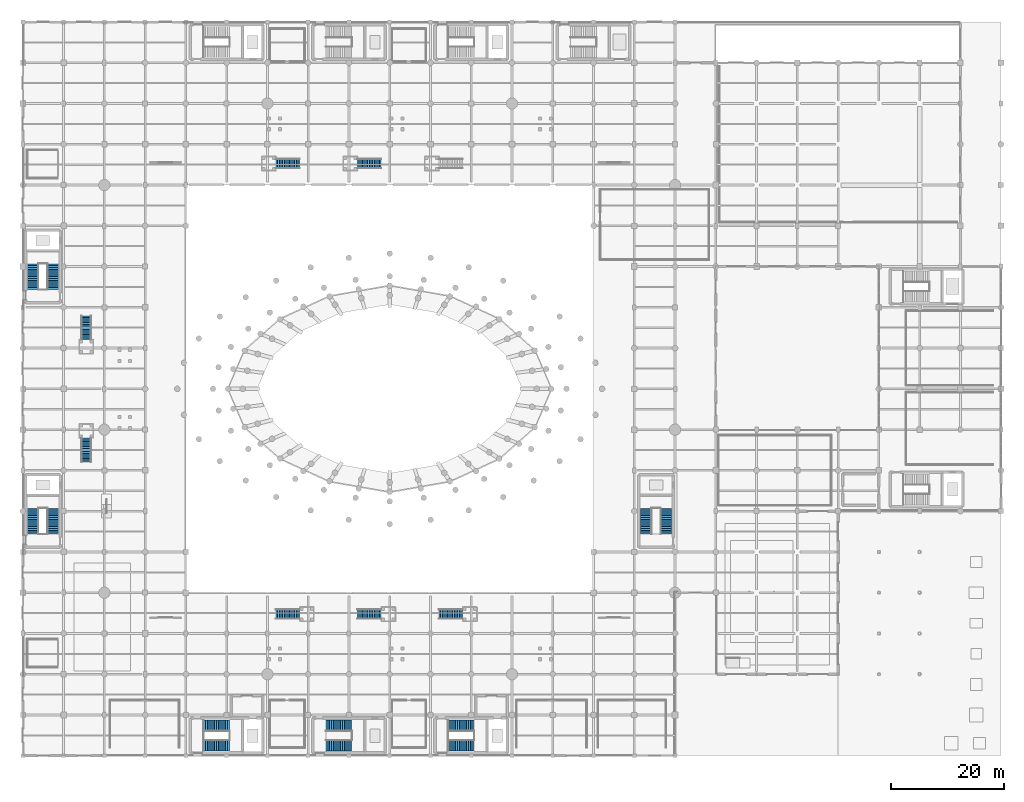
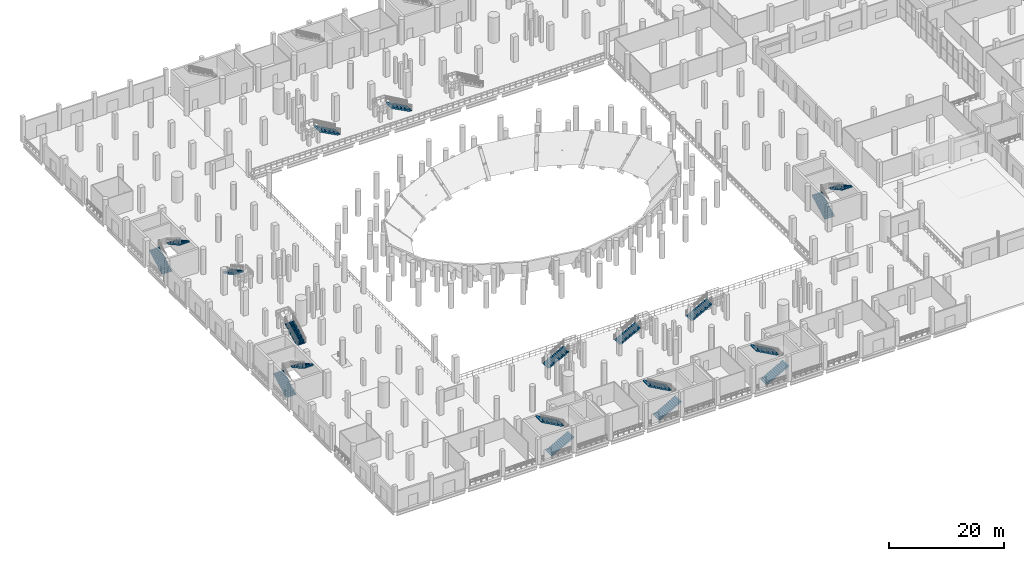
# One storey, part 42 of 58: 19 stair flights, 13 elements without a shape of their own.
"""IFC4 building model written with IfcOpenShell, lengths in metres."""

from ifc_helpers import new_model, si_unit, direction, frame, origin, place, context, subcontext, project, spatial, polyline, outline, extrude, material, type_object, element, aggregate, save


model = new_model("IFC4")

# Units and contexts
model_context = context("Model", 3, precision=1e-05, world=origin(), true_north=direction((0.0, 1.0)))
body_context = subcontext(model_context, "Body", "Model", "MODEL_VIEW")
ifc_project = project(units=[si_unit("LENGTHUNIT", "METRE"), si_unit("AREAUNIT", "SQUARE_METRE"), si_unit("VOLUMEUNIT", "CUBIC_METRE"), si_unit("PLANEANGLEUNIT", "RADIAN"), si_unit("MASSUNIT", "GRAM", prefix="KILO")], contexts=[model_context])

# Site, building, storey
site_placement = place(None, origin())
site = spatial("IfcSite", under=ifc_project, at=site_placement, CompositionType="ELEMENT")
building_placement = place(site_placement, origin())
building = spatial("IfcBuilding", under=site, at=building_placement, Name="Qandorah Velis Arena", CompositionType="ELEMENT")
storey_placement = place(building_placement, origin())
storey = spatial("IfcBuildingStorey", under=building, at=storey_placement, Name="L00", CompositionType="ELEMENT", Elevation=0.0)

# Stair, stair flights
ifc_material = material(Name="Concrete C40/50", Category="concrete")
stair_type_1 = type_object("IfcStairType", Name="ARC-ST-CORE54", PredefinedType="HALF_TURN_STAIR", material=ifc_material)
stair_1_placement = place(storey_placement, origin())
stair_1 = element("IfcStair", 1, at=stair_1_placement, inside=storey, type_object=stair_type_1, Name="Protected exit stair ST1 (L00)", PredefinedType="HALF_TURN_STAIR")
stair_flight_type_1 = type_object("IfcStairFlightType", Name="ARC-STF-1650", PredefinedType="STRAIGHT", material=ifc_material)
stair_flight_1_placement = place(storey_placement, frame((31.949951171875, 1.800048828125, 0.0), z_axis=(0.0, 0.0, 1.0), x_axis=(1.0, 0.0, 0.0)))
stair_flight_1 = element("IfcStairFlight", 2, at=stair_flight_1_placement, type_object=stair_flight_type_1, Name="ST1 flight 1", NumberOfRisers=15, NumberOfTreads=14, PredefinedType="STRAIGHT", RiserHeight=0.18, TreadLength=0.324, context=body_context, shape_type="SweptSolid", body=[
    extrude(outline(polyline([(0.0, 0.0), (0.0, 0.179931640625), (0.323974609375, 0.179931640625), (0.323974609375, 0.360107421875), (0.64794921875, 0.360107421875), (0.64794921875, 0.5400390625), (0.971923828125, 0.5400390625), (0.971923828125, 0.719970703125), (1.2958984375, 0.719970703125), (1.2958984375, 0.89990234375), (1.6201171875, 0.89990234375), (1.6201171875, 1.080078125), (1.944091796875, 1.080078125), (1.944091796875, 1.260009765625), (2.26806640625, 1.260009765625), (2.26806640625, 1.43994140625), (2.592041015625, 1.43994140625), (2.592041015625, 1.6201171875), (2.916015625, 1.6201171875), (2.916015625, 1.800048828125), (3.239990234375, 1.800048828125), (3.239990234375, 1.97998046875), (3.56396484375, 1.97998046875), (3.56396484375, 2.159912109375), (3.887939453125, 2.159912109375), (3.887939453125, 2.340087890625), (4.2119140625, 2.340087890625), (4.2119140625, 2.52001953125), (4.535888671875, 2.52001953125), (4.535888671875, 2.699951171875), (4.535888671875, 2.268310546875), (0.452880859375, 0.0), (0.0, 0.0)])), frame((0.0, 0.989990234375, 0.0), z_axis=(0.0, -1.0, 0.0), x_axis=(1.0, 0.0, 0.0)), (0.0, 0.0, 1.0), 1.97998046875),
])
stair_flight_2_placement = place(storey_placement, frame((36.486083984375, 5.300048828125, 2.699951171875), z_axis=(0.0, 0.0, 1.0), x_axis=(-1.0, 0.0, 0.0)))
stair_flight_2 = element("IfcStairFlight", 3, at=stair_flight_2_placement, type_object=stair_flight_type_1, Name="ST1 flight 2", NumberOfRisers=15, NumberOfTreads=14, PredefinedType="STRAIGHT", RiserHeight=0.18, TreadLength=0.324, context=body_context, shape_type="SweptSolid", body=[
    extrude(outline(polyline([(0.0, 0.0), (0.0, 0.179931640625), (0.323974609375, 0.179931640625), (0.323974609375, 0.360107421875), (0.64794921875, 0.360107421875), (0.64794921875, 0.5400390625), (0.971923828125, 0.5400390625), (0.971923828125, 0.719970703125), (1.2958984375, 0.719970703125), (1.2958984375, 0.89990234375), (1.6201171875, 0.89990234375), (1.6201171875, 1.080078125), (1.944091796875, 1.080078125), (1.944091796875, 1.260009765625), (2.26806640625, 1.260009765625), (2.26806640625, 1.43994140625), (2.592041015625, 1.43994140625), (2.592041015625, 1.6201171875), (2.916015625, 1.6201171875), (2.916015625, 1.800048828125), (3.239990234375, 1.800048828125), (3.239990234375, 1.97998046875), (3.56396484375, 1.97998046875), (3.56396484375, 2.159912109375), (3.887939453125, 2.159912109375), (3.887939453125, 2.340087890625), (4.2119140625, 2.340087890625), (4.2119140625, 2.52001953125), (4.535888671875, 2.52001953125), (4.535888671875, 2.699951171875), (4.535888671875, 2.268310546875), (0.452880859375, 0.0), (0.0, 0.0)])), frame((0.0, 0.989990234375, 0.0), z_axis=(0.0, -1.0, 0.0), x_axis=(1.0, 0.0, 0.0)), (0.0, 0.0, 1.0), 1.97998046875),
])
aggregate(stair_1, [stair_flight_1, stair_flight_2])

stair_2_placement = place(storey_placement, origin())
stair_2 = element("IfcStair", 4, at=stair_2_placement, inside=storey, type_object=stair_type_1, Name="Protected exit stair ST2 (L00)", PredefinedType="HALF_TURN_STAIR")
stair_flight_3_placement = place(storey_placement, frame((75.14990234375, 1.800048828125, 0.0), z_axis=(0.0, 0.0, 1.0), x_axis=(1.0, 0.0, 0.0)))
stair_flight_3 = element("IfcStairFlight", 5, at=stair_flight_3_placement, type_object=stair_flight_type_1, Name="ST2 flight 1", NumberOfRisers=15, NumberOfTreads=14, PredefinedType="STRAIGHT", RiserHeight=0.18, TreadLength=0.324, context=body_context, shape_type="SweptSolid", body=[
    extrude(outline(polyline([(0.0, 0.0), (0.0, 0.179931640625), (0.323974609375, 0.179931640625), (0.323974609375, 0.360107421875), (0.64794921875, 0.360107421875), (0.64794921875, 0.5400390625), (0.971923828125, 0.5400390625), (0.971923828125, 0.719970703125), (1.2958984375, 0.719970703125), (1.2958984375, 0.89990234375), (1.6201171875, 0.89990234375), (1.6201171875, 1.080078125), (1.944091796875, 1.080078125), (1.944091796875, 1.260009765625), (2.26806640625, 1.260009765625), (2.26806640625, 1.43994140625), (2.592041015625, 1.43994140625), (2.592041015625, 1.6201171875), (2.916015625, 1.6201171875), (2.916015625, 1.800048828125), (3.239990234375, 1.800048828125), (3.239990234375, 1.97998046875), (3.56396484375, 1.97998046875), (3.56396484375, 2.159912109375), (3.887939453125, 2.159912109375), (3.887939453125, 2.340087890625), (4.2119140625, 2.340087890625), (4.2119140625, 2.52001953125), (4.535888671875, 2.52001953125), (4.535888671875, 2.699951171875), (4.535888671875, 2.268310546875), (0.452880859375, 0.0), (0.0, 0.0)])), frame((0.0, 0.989990234375, 0.0), z_axis=(0.0, -1.0, 0.0), x_axis=(1.0, 0.0, 0.0)), (0.0, 0.0, 1.0), 1.97998046875),
])
stair_flight_4_placement = place(storey_placement, frame((79.68603515625, 5.300048828125, 2.699951171875), z_axis=(0.0, 0.0, 1.0), x_axis=(-1.0, 0.0, 0.0)))
stair_flight_4 = element("IfcStairFlight", 6, at=stair_flight_4_placement, type_object=stair_flight_type_1, Name="ST2 flight 2", NumberOfRisers=15, NumberOfTreads=14, PredefinedType="STRAIGHT", RiserHeight=0.18, TreadLength=0.324, context=body_context, shape_type="SweptSolid", body=[
    extrude(outline(polyline([(0.0, 0.0), (0.0, 0.179931640625), (0.323974609375, 0.179931640625), (0.323974609375, 0.360107421875), (0.64794921875, 0.360107421875), (0.64794921875, 0.5400390625), (0.971923828125, 0.5400390625), (0.971923828125, 0.719970703125), (1.2958984375, 0.719970703125), (1.2958984375, 0.89990234375), (1.6201171875, 0.89990234375), (1.6201171875, 1.080078125), (1.944091796875, 1.080078125), (1.944091796875, 1.260009765625), (2.26806640625, 1.260009765625), (2.26806640625, 1.43994140625), (2.592041015625, 1.43994140625), (2.592041015625, 1.6201171875), (2.916015625, 1.6201171875), (2.916015625, 1.800048828125), (3.239990234375, 1.800048828125), (3.239990234375, 1.97998046875), (3.56396484375, 1.97998046875), (3.56396484375, 2.159912109375), (3.887939453125, 2.159912109375), (3.887939453125, 2.340087890625), (4.2119140625, 2.340087890625), (4.2119140625, 2.52001953125), (4.535888671875, 2.52001953125), (4.535888671875, 2.699951171875), (4.535888671875, 2.268310546875), (0.452880859375, 0.0), (0.0, 0.0)])), frame((0.0, 0.989990234375, 0.0), z_axis=(0.0, -1.0, 0.0), x_axis=(1.0, 0.0, 0.0)), (0.0, 0.0, 1.0), 1.97998046875),
])
aggregate(stair_2, [stair_flight_3, stair_flight_4])

stair_3_placement = place(storey_placement, origin())
stair_3 = element("IfcStair", 7, at=stair_3_placement, inside=storey, type_object=stair_type_1, Name="Protected exit stair ST5 (L00)", PredefinedType="HALF_TURN_STAIR")
stair_flight_5_placement = place(storey_placement, frame((1.800048828125, 39.14990234375, 0.0), z_axis=(0.0, 0.0, 1.0), x_axis=(0.0, 1.0, 0.0)))
stair_flight_5 = element("IfcStairFlight", 8, at=stair_flight_5_placement, type_object=stair_flight_type_1, Name="ST5 flight 1", NumberOfRisers=15, NumberOfTreads=14, PredefinedType="STRAIGHT", RiserHeight=0.18, TreadLength=0.324, context=body_context, shape_type="SweptSolid", body=[
    extrude(outline(polyline([(0.0, 0.0), (0.0, 0.179931640625), (0.323974609375, 0.179931640625), (0.323974609375, 0.360107421875), (0.64794921875, 0.360107421875), (0.64794921875, 0.5400390625), (0.971923828125, 0.5400390625), (0.971923828125, 0.719970703125), (1.2958984375, 0.719970703125), (1.2958984375, 0.89990234375), (1.6201171875, 0.89990234375), (1.6201171875, 1.080078125), (1.944091796875, 1.080078125), (1.944091796875, 1.260009765625), (2.26806640625, 1.260009765625), (2.26806640625, 1.43994140625), (2.592041015625, 1.43994140625), (2.592041015625, 1.6201171875), (2.916015625, 1.6201171875), (2.916015625, 1.800048828125), (3.239990234375, 1.800048828125), (3.239990234375, 1.97998046875), (3.56396484375, 1.97998046875), (3.56396484375, 2.159912109375), (3.887939453125, 2.159912109375), (3.887939453125, 2.340087890625), (4.2119140625, 2.340087890625), (4.2119140625, 2.52001953125), (4.535888671875, 2.52001953125), (4.535888671875, 2.699951171875), (4.535888671875, 2.268310546875), (0.452880859375, 0.0), (0.0, 0.0)])), frame((0.0, 0.989990234375, 0.0), z_axis=(0.0, -1.0, 0.0), x_axis=(1.0, 0.0, 0.0)), (0.0, 0.0, 1.0), 1.97998046875),
])
stair_flight_6_placement = place(storey_placement, frame((5.300048828125, 43.68603515625, 2.699951171875), z_axis=(0.0, 0.0, 1.0), x_axis=(0.0, -1.0, 0.0)))
stair_flight_6 = element("IfcStairFlight", 9, at=stair_flight_6_placement, type_object=stair_flight_type_1, Name="ST5 flight 2", NumberOfRisers=15, NumberOfTreads=14, PredefinedType="STRAIGHT", RiserHeight=0.18, TreadLength=0.324, context=body_context, shape_type="SweptSolid", body=[
    extrude(outline(polyline([(0.0, 0.0), (0.0, 0.179931640625), (0.323974609375, 0.179931640625), (0.323974609375, 0.360107421875), (0.64794921875, 0.360107421875), (0.64794921875, 0.5400390625), (0.971923828125, 0.5400390625), (0.971923828125, 0.719970703125), (1.2958984375, 0.719970703125), (1.2958984375, 0.89990234375), (1.6201171875, 0.89990234375), (1.6201171875, 1.080078125), (1.944091796875, 1.080078125), (1.944091796875, 1.260009765625), (2.26806640625, 1.260009765625), (2.26806640625, 1.43994140625), (2.592041015625, 1.43994140625), (2.592041015625, 1.6201171875), (2.916015625, 1.6201171875), (2.916015625, 1.800048828125), (3.239990234375, 1.800048828125), (3.239990234375, 1.97998046875), (3.56396484375, 1.97998046875), (3.56396484375, 2.159912109375), (3.887939453125, 2.159912109375), (3.887939453125, 2.340087890625), (4.2119140625, 2.340087890625), (4.2119140625, 2.52001953125), (4.535888671875, 2.52001953125), (4.535888671875, 2.699951171875), (4.535888671875, 2.268310546875), (0.452880859375, 0.0), (0.0, 0.0)])), frame((0.0, 0.989990234375, 0.0), z_axis=(0.0, -1.0, 0.0), x_axis=(1.0, 0.0, 0.0)), (0.0, 0.0, 1.0), 1.97998046875),
])
aggregate(stair_3, [stair_flight_5, stair_flight_6])

stair_4_placement = place(storey_placement, origin())
stair_4 = element("IfcStair", 10, at=stair_4_placement, inside=storey, type_object=stair_type_1, Name="Protected exit stair ST6 (L00)", PredefinedType="HALF_TURN_STAIR")
stair_flight_7_placement = place(storey_placement, frame((1.800048828125, 82.35009765625, 0.0), z_axis=(0.0, 0.0, 1.0), x_axis=(0.0, 1.0, 0.0)))
stair_flight_7 = element("IfcStairFlight", 11, at=stair_flight_7_placement, type_object=stair_flight_type_1, Name="ST6 flight 1", NumberOfRisers=15, NumberOfTreads=14, PredefinedType="STRAIGHT", RiserHeight=0.18, TreadLength=0.324, context=body_context, shape_type="SweptSolid", body=[
    extrude(outline(polyline([(0.0, 0.0), (0.0, 0.179931640625), (0.323974609375, 0.179931640625), (0.323974609375, 0.360107421875), (0.64794921875, 0.360107421875), (0.64794921875, 0.5400390625), (0.971923828125, 0.5400390625), (0.971923828125, 0.719970703125), (1.2958984375, 0.719970703125), (1.2958984375, 0.89990234375), (1.6201171875, 0.89990234375), (1.6201171875, 1.080078125), (1.944091796875, 1.080078125), (1.944091796875, 1.260009765625), (2.26806640625, 1.260009765625), (2.26806640625, 1.43994140625), (2.592041015625, 1.43994140625), (2.592041015625, 1.6201171875), (2.916015625, 1.6201171875), (2.916015625, 1.800048828125), (3.239990234375, 1.800048828125), (3.239990234375, 1.97998046875), (3.56396484375, 1.97998046875), (3.56396484375, 2.159912109375), (3.887939453125, 2.159912109375), (3.887939453125, 2.340087890625), (4.2119140625, 2.340087890625), (4.2119140625, 2.52001953125), (4.535888671875, 2.52001953125), (4.535888671875, 2.699951171875), (4.535888671875, 2.268310546875), (0.452880859375, 0.0), (0.0, 0.0)])), frame((0.0, 0.989990234375, 0.0), z_axis=(0.0, -1.0, 0.0), x_axis=(1.0, 0.0, 0.0)), (0.0, 0.0, 1.0), 1.97998046875),
])
stair_flight_8_placement = place(storey_placement, frame((5.300048828125, 86.885986328125, 2.699951171875), z_axis=(0.0, 0.0, 1.0), x_axis=(0.0, -1.0, 0.0)))
stair_flight_8 = element("IfcStairFlight", 12, at=stair_flight_8_placement, type_object=stair_flight_type_1, Name="ST6 flight 2", NumberOfRisers=15, NumberOfTreads=14, PredefinedType="STRAIGHT", RiserHeight=0.18, TreadLength=0.324, context=body_context, shape_type="SweptSolid", body=[
    extrude(outline(polyline([(0.0, 0.0), (0.0, 0.179931640625), (0.323974609375, 0.179931640625), (0.323974609375, 0.360107421875), (0.64794921875, 0.360107421875), (0.64794921875, 0.5400390625), (0.971923828125, 0.5400390625), (0.971923828125, 0.719970703125), (1.2958984375, 0.719970703125), (1.2958984375, 0.89990234375), (1.6201171875, 0.89990234375), (1.6201171875, 1.080078125), (1.944091796875, 1.080078125), (1.944091796875, 1.260009765625), (2.26806640625, 1.260009765625), (2.26806640625, 1.43994140625), (2.592041015625, 1.43994140625), (2.592041015625, 1.6201171875), (2.916015625, 1.6201171875), (2.916015625, 1.800048828125), (3.239990234375, 1.800048828125), (3.239990234375, 1.97998046875), (3.56396484375, 1.97998046875), (3.56396484375, 2.159912109375), (3.887939453125, 2.159912109375), (3.887939453125, 2.340087890625), (4.2119140625, 2.340087890625), (4.2119140625, 2.52001953125), (4.535888671875, 2.52001953125), (4.535888671875, 2.699951171875), (4.535888671875, 2.268310546875), (0.452880859375, 0.0), (0.0, 0.0)])), frame((0.0, 0.989990234375, 0.0), z_axis=(0.0, -1.0, 0.0), x_axis=(1.0, 0.0, 0.0)), (0.0, 0.0, 1.0), 1.97998046875),
])
aggregate(stair_4, [stair_flight_7, stair_flight_8])

stair_5_placement = place(storey_placement, origin())
stair_5 = element("IfcStair", 13, at=stair_5_placement, inside=storey, type_object=stair_type_1, Name="Protected exit stair ST9 (L00)", PredefinedType="HALF_TURN_STAIR")
stair_flight_9_placement = place(storey_placement, frame((53.550048828125, 1.800048828125, 0.0), z_axis=(0.0, 0.0, 1.0), x_axis=(1.0, 0.0, 0.0)))
stair_flight_9 = element("IfcStairFlight", 14, at=stair_flight_9_placement, type_object=stair_flight_type_1, Name="ST9 flight 1", NumberOfRisers=15, NumberOfTreads=14, PredefinedType="STRAIGHT", RiserHeight=0.18, TreadLength=0.324, context=body_context, shape_type="SweptSolid", body=[
    extrude(outline(polyline([(0.0, 0.0), (0.0, 0.179931640625), (0.323974609375, 0.179931640625), (0.323974609375, 0.360107421875), (0.64794921875, 0.360107421875), (0.64794921875, 0.5400390625), (0.971923828125, 0.5400390625), (0.971923828125, 0.719970703125), (1.2958984375, 0.719970703125), (1.2958984375, 0.89990234375), (1.6201171875, 0.89990234375), (1.6201171875, 1.080078125), (1.944091796875, 1.080078125), (1.944091796875, 1.260009765625), (2.26806640625, 1.260009765625), (2.26806640625, 1.43994140625), (2.592041015625, 1.43994140625), (2.592041015625, 1.6201171875), (2.916015625, 1.6201171875), (2.916015625, 1.800048828125), (3.239990234375, 1.800048828125), (3.239990234375, 1.97998046875), (3.56396484375, 1.97998046875), (3.56396484375, 2.159912109375), (3.887939453125, 2.159912109375), (3.887939453125, 2.340087890625), (4.2119140625, 2.340087890625), (4.2119140625, 2.52001953125), (4.535888671875, 2.52001953125), (4.535888671875, 2.699951171875), (4.535888671875, 2.268310546875), (0.452880859375, 0.0), (0.0, 0.0)])), frame((0.0, 0.989990234375, 0.0), z_axis=(0.0, -1.0, 0.0), x_axis=(1.0, 0.0, 0.0)), (0.0, 0.0, 1.0), 1.97998046875),
])
stair_flight_10_placement = place(storey_placement, frame((58.0859375, 5.300048828125, 2.699951171875), z_axis=(0.0, 0.0, 1.0), x_axis=(-1.0, 0.0, 0.0)))
stair_flight_10 = element("IfcStairFlight", 15, at=stair_flight_10_placement, type_object=stair_flight_type_1, Name="ST9 flight 2", NumberOfRisers=15, NumberOfTreads=14, PredefinedType="STRAIGHT", RiserHeight=0.18, TreadLength=0.324, context=body_context, shape_type="SweptSolid", body=[
    extrude(outline(polyline([(0.0, 0.0), (0.0, 0.179931640625), (0.323974609375, 0.179931640625), (0.323974609375, 0.360107421875), (0.64794921875, 0.360107421875), (0.64794921875, 0.5400390625), (0.971923828125, 0.5400390625), (0.971923828125, 0.719970703125), (1.2958984375, 0.719970703125), (1.2958984375, 0.89990234375), (1.6201171875, 0.89990234375), (1.6201171875, 1.080078125), (1.944091796875, 1.080078125), (1.944091796875, 1.260009765625), (2.26806640625, 1.260009765625), (2.26806640625, 1.43994140625), (2.592041015625, 1.43994140625), (2.592041015625, 1.6201171875), (2.916015625, 1.6201171875), (2.916015625, 1.800048828125), (3.239990234375, 1.800048828125), (3.239990234375, 1.97998046875), (3.56396484375, 1.97998046875), (3.56396484375, 2.159912109375), (3.887939453125, 2.159912109375), (3.887939453125, 2.340087890625), (4.2119140625, 2.340087890625), (4.2119140625, 2.52001953125), (4.535888671875, 2.52001953125), (4.535888671875, 2.699951171875), (4.535888671875, 2.268310546875), (0.452880859375, 0.0), (0.0, 0.0)])), frame((0.0, 0.989990234375, 0.0), z_axis=(0.0, -1.0, 0.0), x_axis=(1.0, 0.0, 0.0)), (0.0, 0.0, 1.0), 1.97998046875),
])
aggregate(stair_5, [stair_flight_9, stair_flight_10])

stair_6_placement = place(storey_placement, origin())
stair_6 = element("IfcStair", 16, at=stair_6_placement, inside=storey, type_object=stair_type_1, Name="Protected exit stair ST11 (L00)", PredefinedType="HALF_TURN_STAIR")
stair_flight_11_placement = place(storey_placement, frame((110.10009765625, 39.14990234375, 0.0), z_axis=(0.0, 0.0, 1.0), x_axis=(0.0, 1.0, 0.0)))
stair_flight_11 = element("IfcStairFlight", 17, at=stair_flight_11_placement, type_object=stair_flight_type_1, Name="ST11 flight 1", NumberOfRisers=15, NumberOfTreads=14, PredefinedType="STRAIGHT", RiserHeight=0.18, TreadLength=0.324, context=body_context, shape_type="SweptSolid", body=[
    extrude(outline(polyline([(0.0, 0.0), (0.0, 0.179931640625), (0.323974609375, 0.179931640625), (0.323974609375, 0.360107421875), (0.64794921875, 0.360107421875), (0.64794921875, 0.5400390625), (0.971923828125, 0.5400390625), (0.971923828125, 0.719970703125), (1.2958984375, 0.719970703125), (1.2958984375, 0.89990234375), (1.6201171875, 0.89990234375), (1.6201171875, 1.080078125), (1.944091796875, 1.080078125), (1.944091796875, 1.260009765625), (2.26806640625, 1.260009765625), (2.26806640625, 1.43994140625), (2.592041015625, 1.43994140625), (2.592041015625, 1.6201171875), (2.916015625, 1.6201171875), (2.916015625, 1.800048828125), (3.239990234375, 1.800048828125), (3.239990234375, 1.97998046875), (3.56396484375, 1.97998046875), (3.56396484375, 2.159912109375), (3.887939453125, 2.159912109375), (3.887939453125, 2.340087890625), (4.2119140625, 2.340087890625), (4.2119140625, 2.52001953125), (4.535888671875, 2.52001953125), (4.535888671875, 2.699951171875), (4.535888671875, 2.268310546875), (0.452880859375, 0.0), (0.0, 0.0)])), frame((0.0, 0.989990234375, 0.0), z_axis=(0.0, -1.0, 0.0), x_axis=(1.0, 0.0, 0.0)), (0.0, 0.0, 1.0), 1.97998046875),
])
stair_flight_12_placement = place(storey_placement, frame((113.60009765625, 43.68603515625, 2.699951171875), z_axis=(0.0, 0.0, 1.0), x_axis=(0.0, -1.0, 0.0)))
stair_flight_12 = element("IfcStairFlight", 18, at=stair_flight_12_placement, type_object=stair_flight_type_1, Name="ST11 flight 2", NumberOfRisers=15, NumberOfTreads=14, PredefinedType="STRAIGHT", RiserHeight=0.18, TreadLength=0.324, context=body_context, shape_type="SweptSolid", body=[
    extrude(outline(polyline([(0.0, 0.0), (0.0, 0.179931640625), (0.323974609375, 0.179931640625), (0.323974609375, 0.360107421875), (0.64794921875, 0.360107421875), (0.64794921875, 0.5400390625), (0.971923828125, 0.5400390625), (0.971923828125, 0.719970703125), (1.2958984375, 0.719970703125), (1.2958984375, 0.89990234375), (1.6201171875, 0.89990234375), (1.6201171875, 1.080078125), (1.944091796875, 1.080078125), (1.944091796875, 1.260009765625), (2.26806640625, 1.260009765625), (2.26806640625, 1.43994140625), (2.592041015625, 1.43994140625), (2.592041015625, 1.6201171875), (2.916015625, 1.6201171875), (2.916015625, 1.800048828125), (3.239990234375, 1.800048828125), (3.239990234375, 1.97998046875), (3.56396484375, 1.97998046875), (3.56396484375, 2.159912109375), (3.887939453125, 2.159912109375), (3.887939453125, 2.340087890625), (4.2119140625, 2.340087890625), (4.2119140625, 2.52001953125), (4.535888671875, 2.52001953125), (4.535888671875, 2.699951171875), (4.535888671875, 2.268310546875), (0.452880859375, 0.0), (0.0, 0.0)])), frame((0.0, 0.989990234375, 0.0), z_axis=(0.0, -1.0, 0.0), x_axis=(1.0, 0.0, 0.0)), (0.0, 0.0, 1.0), 1.97998046875),
])
aggregate(stair_6, [stair_flight_11, stair_flight_12])

# Stair, stair flight
stair_type_2 = type_object("IfcStairType", Name="ARC-ST-VOM1800", PredefinedType="STRAIGHT_RUN_STAIR", material=ifc_material)
stair_7_placement = place(storey_placement, origin())
stair_7 = element("IfcStair", 19, at=stair_7_placement, inside=storey, type_object=stair_type_2, Name="Spectator vomitory stair VS1 (L00)", PredefinedType="STRAIGHT_RUN_STAIR")
stair_flight_type_2 = type_object("IfcStairFlightType", Name="ARC-STF-1800", PredefinedType="STRAIGHT", material=ifc_material)
stair_flight_13_placement = place(storey_placement, frame((44.699951171875, 25.0, 0.0), z_axis=(0.0, 0.0, 1.0), x_axis=(1.0, 0.0, 0.0)))
stair_flight_13 = element("IfcStairFlight", 20, at=stair_flight_13_placement, type_object=stair_flight_type_2, Name="VS1 flight 1", NumberOfRisers=15, NumberOfTreads=14, PredefinedType="STRAIGHT", RiserHeight=0.16, TreadLength=0.3, context=body_context, shape_type="SweptSolid", body=[
    extrude(outline(polyline([(0.0, 0.0), (0.0, 0.159912109375), (0.300048828125, 0.159912109375), (0.300048828125, 0.320068359375), (0.60009765625, 0.320068359375), (0.60009765625, 0.47998046875), (0.89990234375, 0.47998046875), (0.89990234375, 0.639892578125), (1.199951171875, 0.639892578125), (1.199951171875, 0.800048828125), (1.5, 0.800048828125), (1.5, 0.9599609375), (1.800048828125, 0.9599609375), (1.800048828125, 1.1201171875), (2.10009765625, 1.1201171875), (2.10009765625, 1.280029296875), (2.39990234375, 1.280029296875), (2.39990234375, 1.43994140625), (2.699951171875, 1.43994140625), (2.699951171875, 1.60009765625), (3.0, 1.60009765625), (3.0, 1.760009765625), (3.300048828125, 1.760009765625), (3.300048828125, 1.919921875), (3.60009765625, 1.919921875), (3.60009765625, 2.080078125), (3.89990234375, 2.080078125), (3.89990234375, 2.239990234375), (4.199951171875, 2.239990234375), (4.199951171875, 2.39990234375), (4.199951171875, 1.968017578125), (0.510009765625, 0.0), (0.0, 0.0)])), frame((0.0, 0.89990234375, 0.0), z_axis=(0.0, -1.0, 0.0), x_axis=(1.0, 0.0, 0.0)), (0.0, 0.0, 1.0), 1.800048828125),
])
aggregate(stair_7, [stair_flight_13])

stair_8_placement = place(storey_placement, origin())
stair_8 = element("IfcStair", 21, at=stair_8_placement, inside=storey, type_object=stair_type_2, Name="Spectator vomitory stair VS2 (L00)", PredefinedType="STRAIGHT_RUN_STAIR")
stair_flight_14_placement = place(storey_placement, frame((59.10009765625, 25.0, 0.0), z_axis=(0.0, 0.0, 1.0), x_axis=(1.0, 0.0, 0.0)))
stair_flight_14 = element("IfcStairFlight", 22, at=stair_flight_14_placement, type_object=stair_flight_type_2, Name="VS2 flight 1", NumberOfRisers=15, NumberOfTreads=14, PredefinedType="STRAIGHT", RiserHeight=0.16, TreadLength=0.3, context=body_context, shape_type="SweptSolid", body=[
    extrude(outline(polyline([(0.0, 0.0), (0.0, 0.159912109375), (0.300048828125, 0.159912109375), (0.300048828125, 0.320068359375), (0.60009765625, 0.320068359375), (0.60009765625, 0.47998046875), (0.89990234375, 0.47998046875), (0.89990234375, 0.639892578125), (1.199951171875, 0.639892578125), (1.199951171875, 0.800048828125), (1.5, 0.800048828125), (1.5, 0.9599609375), (1.800048828125, 0.9599609375), (1.800048828125, 1.1201171875), (2.10009765625, 1.1201171875), (2.10009765625, 1.280029296875), (2.39990234375, 1.280029296875), (2.39990234375, 1.43994140625), (2.699951171875, 1.43994140625), (2.699951171875, 1.60009765625), (3.0, 1.60009765625), (3.0, 1.760009765625), (3.300048828125, 1.760009765625), (3.300048828125, 1.919921875), (3.60009765625, 1.919921875), (3.60009765625, 2.080078125), (3.89990234375, 2.080078125), (3.89990234375, 2.239990234375), (4.199951171875, 2.239990234375), (4.199951171875, 2.39990234375), (4.199951171875, 1.968017578125), (0.510009765625, 0.0), (0.0, 0.0)])), frame((0.0, 0.89990234375, 0.0), z_axis=(0.0, -1.0, 0.0), x_axis=(1.0, 0.0, 0.0)), (0.0, 0.0, 1.0), 1.800048828125),
])
aggregate(stair_8, [stair_flight_14])

stair_9_placement = place(storey_placement, origin())
stair_9 = element("IfcStair", 23, at=stair_9_placement, inside=storey, type_object=stair_type_2, Name="Spectator vomitory stair VS3 (L00)", PredefinedType="STRAIGHT_RUN_STAIR")
stair_flight_15_placement = place(storey_placement, frame((73.5, 25.0, 0.0), z_axis=(0.0, 0.0, 1.0), x_axis=(1.0, 0.0, 0.0)))
stair_flight_15 = element("IfcStairFlight", 24, at=stair_flight_15_placement, type_object=stair_flight_type_2, Name="VS3 flight 1", NumberOfRisers=15, NumberOfTreads=14, PredefinedType="STRAIGHT", RiserHeight=0.16, TreadLength=0.3, context=body_context, shape_type="SweptSolid", body=[
    extrude(outline(polyline([(0.0, 0.0), (0.0, 0.159912109375), (0.300048828125, 0.159912109375), (0.300048828125, 0.320068359375), (0.60009765625, 0.320068359375), (0.60009765625, 0.47998046875), (0.89990234375, 0.47998046875), (0.89990234375, 0.639892578125), (1.199951171875, 0.639892578125), (1.199951171875, 0.800048828125), (1.5, 0.800048828125), (1.5, 0.9599609375), (1.800048828125, 0.9599609375), (1.800048828125, 1.1201171875), (2.10009765625, 1.1201171875), (2.10009765625, 1.280029296875), (2.39990234375, 1.280029296875), (2.39990234375, 1.43994140625), (2.699951171875, 1.43994140625), (2.699951171875, 1.60009765625), (3.0, 1.60009765625), (3.0, 1.760009765625), (3.300048828125, 1.760009765625), (3.300048828125, 1.919921875), (3.60009765625, 1.919921875), (3.60009765625, 2.080078125), (3.89990234375, 2.080078125), (3.89990234375, 2.239990234375), (4.199951171875, 2.239990234375), (4.199951171875, 2.39990234375), (4.199951171875, 1.968017578125), (0.510009765625, 0.0), (0.0, 0.0)])), frame((0.0, 0.89990234375, 0.0), z_axis=(0.0, -1.0, 0.0), x_axis=(1.0, 0.0, 0.0)), (0.0, 0.0, 1.0), 1.800048828125),
])
aggregate(stair_9, [stair_flight_15])

stair_10_placement = place(storey_placement, origin())
stair_10 = element("IfcStair", 25, at=stair_10_placement, inside=storey, type_object=stair_type_2, Name="Spectator vomitory stair VS4 (L00)", PredefinedType="STRAIGHT_RUN_STAIR")
stair_flight_16_placement = place(storey_placement, frame((48.89990234375, 104.60009765625, 0.0), z_axis=(0.0, 0.0, 1.0), x_axis=(-1.0, 0.0, 0.0)))
stair_flight_16 = element("IfcStairFlight", 26, at=stair_flight_16_placement, type_object=stair_flight_type_2, Name="VS4 flight 1", NumberOfRisers=15, NumberOfTreads=14, PredefinedType="STRAIGHT", RiserHeight=0.16, TreadLength=0.3, context=body_context, shape_type="SweptSolid", body=[
    extrude(outline(polyline([(0.0, 0.0), (0.0, 0.159912109375), (0.300048828125, 0.159912109375), (0.300048828125, 0.320068359375), (0.60009765625, 0.320068359375), (0.60009765625, 0.47998046875), (0.89990234375, 0.47998046875), (0.89990234375, 0.639892578125), (1.199951171875, 0.639892578125), (1.199951171875, 0.800048828125), (1.5, 0.800048828125), (1.5, 0.9599609375), (1.800048828125, 0.9599609375), (1.800048828125, 1.1201171875), (2.10009765625, 1.1201171875), (2.10009765625, 1.280029296875), (2.39990234375, 1.280029296875), (2.39990234375, 1.43994140625), (2.699951171875, 1.43994140625), (2.699951171875, 1.60009765625), (3.0, 1.60009765625), (3.0, 1.760009765625), (3.300048828125, 1.760009765625), (3.300048828125, 1.919921875), (3.60009765625, 1.919921875), (3.60009765625, 2.080078125), (3.89990234375, 2.080078125), (3.89990234375, 2.239990234375), (4.199951171875, 2.239990234375), (4.199951171875, 2.39990234375), (4.199951171875, 1.968017578125), (0.510009765625, 0.0), (0.0, 0.0)])), frame((0.0, 0.89990234375, 0.0), z_axis=(0.0, -1.0, 0.0), x_axis=(1.0, 0.0, 0.0)), (0.0, 0.0, 1.0), 1.800048828125),
])
aggregate(stair_10, [stair_flight_16])

stair_11_placement = place(storey_placement, origin())
stair_11 = element("IfcStair", 27, at=stair_11_placement, inside=storey, type_object=stair_type_2, Name="Spectator vomitory stair VS5 (L00)", PredefinedType="STRAIGHT_RUN_STAIR")
stair_flight_17_placement = place(storey_placement, frame((63.300048828125, 104.60009765625, 0.0), z_axis=(0.0, 0.0, 1.0), x_axis=(-1.0, 0.0, 0.0)))
stair_flight_17 = element("IfcStairFlight", 28, at=stair_flight_17_placement, type_object=stair_flight_type_2, Name="VS5 flight 1", NumberOfRisers=15, NumberOfTreads=14, PredefinedType="STRAIGHT", RiserHeight=0.16, TreadLength=0.3, context=body_context, shape_type="SweptSolid", body=[
    extrude(outline(polyline([(0.0, 0.0), (0.0, 0.159912109375), (0.300048828125, 0.159912109375), (0.300048828125, 0.320068359375), (0.60009765625, 0.320068359375), (0.60009765625, 0.47998046875), (0.89990234375, 0.47998046875), (0.89990234375, 0.639892578125), (1.199951171875, 0.639892578125), (1.199951171875, 0.800048828125), (1.5, 0.800048828125), (1.5, 0.9599609375), (1.800048828125, 0.9599609375), (1.800048828125, 1.1201171875), (2.10009765625, 1.1201171875), (2.10009765625, 1.280029296875), (2.39990234375, 1.280029296875), (2.39990234375, 1.43994140625), (2.699951171875, 1.43994140625), (2.699951171875, 1.60009765625), (3.0, 1.60009765625), (3.0, 1.760009765625), (3.300048828125, 1.760009765625), (3.300048828125, 1.919921875), (3.60009765625, 1.919921875), (3.60009765625, 2.080078125), (3.89990234375, 2.080078125), (3.89990234375, 2.239990234375), (4.199951171875, 2.239990234375), (4.199951171875, 2.39990234375), (4.199951171875, 1.968017578125), (0.510009765625, 0.0), (0.0, 0.0)])), frame((0.0, 0.89990234375, 0.0), z_axis=(0.0, -1.0, 0.0), x_axis=(1.0, 0.0, 0.0)), (0.0, 0.0, 1.0), 1.800048828125),
])
aggregate(stair_11, [stair_flight_17])

stair_12_placement = place(storey_placement, origin())
stair_12 = element("IfcStair", 29, at=stair_12_placement, inside=storey, type_object=stair_type_2, Name="Spectator vomitory stair VS7 (L00)", PredefinedType="STRAIGHT_RUN_STAIR")
stair_flight_18_placement = place(storey_placement, frame((11.199951171875, 51.89990234375, 0.0), z_axis=(0.0, 0.0, 1.0), x_axis=(0.0, 1.0, 0.0)))
stair_flight_18 = element("IfcStairFlight", 30, at=stair_flight_18_placement, type_object=stair_flight_type_2, Name="VS7 flight 1", NumberOfRisers=15, NumberOfTreads=14, PredefinedType="STRAIGHT", RiserHeight=0.16, TreadLength=0.3, context=body_context, shape_type="SweptSolid", body=[
    extrude(outline(polyline([(0.0, 0.0), (0.0, 0.159912109375), (0.300048828125, 0.159912109375), (0.300048828125, 0.320068359375), (0.60009765625, 0.320068359375), (0.60009765625, 0.47998046875), (0.89990234375, 0.47998046875), (0.89990234375, 0.639892578125), (1.199951171875, 0.639892578125), (1.199951171875, 0.800048828125), (1.5, 0.800048828125), (1.5, 0.9599609375), (1.800048828125, 0.9599609375), (1.800048828125, 1.1201171875), (2.10009765625, 1.1201171875), (2.10009765625, 1.280029296875), (2.39990234375, 1.280029296875), (2.39990234375, 1.43994140625), (2.699951171875, 1.43994140625), (2.699951171875, 1.60009765625), (3.0, 1.60009765625), (3.0, 1.760009765625), (3.300048828125, 1.760009765625), (3.300048828125, 1.919921875), (3.60009765625, 1.919921875), (3.60009765625, 2.080078125), (3.89990234375, 2.080078125), (3.89990234375, 2.239990234375), (4.199951171875, 2.239990234375), (4.199951171875, 2.39990234375), (4.199951171875, 1.968017578125), (0.510009765625, 0.0), (0.0, 0.0)])), frame((0.0, 0.89990234375, 0.0), z_axis=(0.0, -1.0, 0.0), x_axis=(1.0, 0.0, 0.0)), (0.0, 0.0, 1.0), 1.800048828125),
])
aggregate(stair_12, [stair_flight_18])

stair_13_placement = place(storey_placement, origin())
stair_13 = element("IfcStair", 31, at=stair_13_placement, inside=storey, type_object=stair_type_2, Name="Spectator vomitory stair VS8 (L00)", PredefinedType="STRAIGHT_RUN_STAIR")
stair_flight_19_placement = place(storey_placement, frame((11.199951171875, 77.699951171875, 0.0), z_axis=(0.0, 0.0, 1.0), x_axis=(0.0, -1.0, 0.0)))
stair_flight_19 = element("IfcStairFlight", 32, at=stair_flight_19_placement, type_object=stair_flight_type_2, Name="VS8 flight 1", NumberOfRisers=15, NumberOfTreads=14, PredefinedType="STRAIGHT", RiserHeight=0.16, TreadLength=0.3, context=body_context, shape_type="SweptSolid", body=[
    extrude(outline(polyline([(0.0, 0.0), (0.0, 0.159912109375), (0.300048828125, 0.159912109375), (0.300048828125, 0.320068359375), (0.60009765625, 0.320068359375), (0.60009765625, 0.47998046875), (0.89990234375, 0.47998046875), (0.89990234375, 0.639892578125), (1.199951171875, 0.639892578125), (1.199951171875, 0.800048828125), (1.5, 0.800048828125), (1.5, 0.9599609375), (1.800048828125, 0.9599609375), (1.800048828125, 1.1201171875), (2.10009765625, 1.1201171875), (2.10009765625, 1.280029296875), (2.39990234375, 1.280029296875), (2.39990234375, 1.43994140625), (2.699951171875, 1.43994140625), (2.699951171875, 1.60009765625), (3.0, 1.60009765625), (3.0, 1.760009765625), (3.300048828125, 1.760009765625), (3.300048828125, 1.919921875), (3.60009765625, 1.919921875), (3.60009765625, 2.080078125), (3.89990234375, 2.080078125), (3.89990234375, 2.239990234375), (4.199951171875, 2.239990234375), (4.199951171875, 2.39990234375), (4.199951171875, 1.968017578125), (0.510009765625, 0.0), (0.0, 0.0)])), frame((0.0, 0.89990234375, 0.0), z_axis=(0.0, -1.0, 0.0), x_axis=(1.0, 0.0, 0.0)), (0.0, 0.0, 1.0), 1.800048828125),
])
aggregate(stair_13, [stair_flight_19])

save(model, "model.ifc")
